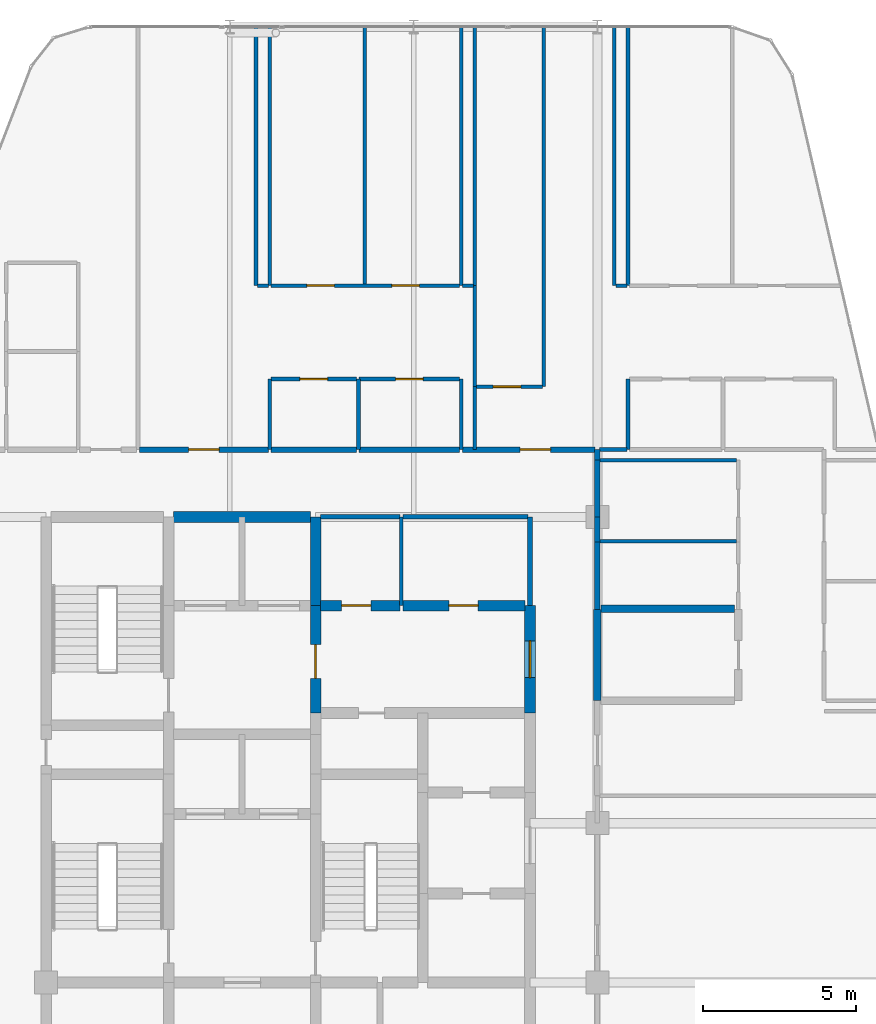
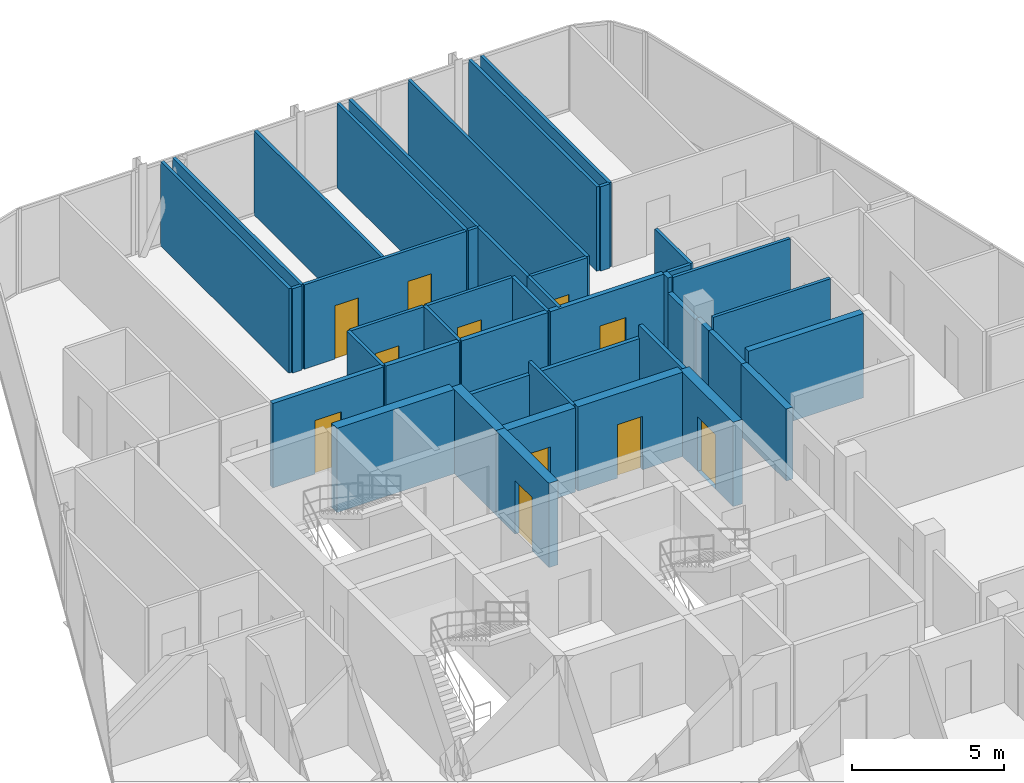
# One storey, part 27 of 29: 44 walls, 11 doors, 11 openings.
"""IFC4 building model written with IfcOpenShell, lengths in metres."""

from ifc_helpers import new_model, si_unit, direction, frame, frame_2d, origin, place, context, subcontext, project, spatial, rectangle, extrude, material, layer, layer_set, type_object, element, fill, save


model = new_model("IFC4")

# Units and contexts
model_context = context("Model", 3, precision=1e-05, world=origin(), true_north=direction((0.0, 1.0)))
body_context = subcontext(model_context, "Body", "Model", "MODEL_VIEW")
ifc_project = project(units=[si_unit("LENGTHUNIT", "METRE"), si_unit("AREAUNIT", "SQUARE_METRE"), si_unit("VOLUMEUNIT", "CUBIC_METRE"), si_unit("PLANEANGLEUNIT", "RADIAN"), si_unit("MASSUNIT", "GRAM", prefix="KILO")], contexts=[model_context])

# Site, building, storey
site_placement = place(None, origin())
site = spatial("IfcSite", under=ifc_project, at=site_placement, CompositionType="ELEMENT")
building_placement = place(site_placement, origin())
building = spatial("IfcBuilding", under=site, at=building_placement, Name="Keshet Zoharim Tower", CompositionType="ELEMENT")
storey_placement = place(building_placement, frame((0.0, 0.0, 222.800048828125)))
storey = spatial("IfcBuildingStorey", under=building, at=storey_placement, Name="L55", CompositionType="ELEMENT", Elevation=222.800048828125)

# Walls
ifc_material_1 = material(Name="Gypsum Plasterboard", Category="gypsum")
ifc_layer_1 = layer(ifc_material_1, 0.14990234375)
ifc_layer_set_1 = layer_set([ifc_layer_1], Name="Gypsum Plasterboard")
wall_type_1 = type_object("IfcWallType", Name="WL-CLIN-150", PredefinedType="STANDARD", material=ifc_layer_set_1)
wall_1_placement = place(storey_placement, frame((30.800048828125, 35.0, 0.0), z_axis=(0.0, 0.0, 1.0), x_axis=(0.0, 1.0, 0.0)))
element("IfcWall", 1, at=wall_1_placement, inside=storey, type_object=wall_type_1, Name="L55 Interior Wall 064", PredefinedType="STANDARD", context=body_context, shape_type="SweptSolid", body=[
    extrude(rectangle(XDim=2.89990234375, YDim=0.14990234375, at=frame_2d((1.449951171875, 0.0))), origin(), (0.0, 0.0, 1.0), 3.389892578125),
])
wall_2_placement = place(storey_placement, frame((23.9599609375, 37.89990234375, 0.0), z_axis=(0.0, 0.0, 1.0), x_axis=(1.0, 0.0, 0.0)))
element("IfcWall", 2, at=wall_2_placement, inside=storey, type_object=wall_type_1, Name="L55 Interior Wall 177", PredefinedType="STANDARD", context=body_context, shape_type="SweptSolid", body=[
    extrude(rectangle(XDim=2.594970703125, YDim=0.14990234375, at=frame_2d((1.29736328125, 0.0))), origin(), (0.0, 0.0, 1.0), 2.889892578125),
])
wall_3_placement = place(storey_placement, frame((26.64501953125, 37.89990234375, 0.0), z_axis=(0.0, 0.0, 1.0), x_axis=(1.0, 0.0, 0.0)))
element("IfcWall", 3, at=wall_3_placement, inside=storey, type_object=wall_type_1, Name="L55 Interior Wall 178", PredefinedType="STANDARD", context=body_context, shape_type="SweptSolid", body=[
    extrude(rectangle(XDim=4.094970703125, YDim=0.14990234375, at=frame_2d((2.04736328125, 0.0))), origin(), (0.0, 0.0, 1.0), 2.889892578125),
])

# Wall, opening, door
ifc_material_2 = material(Name="Concrete C60/75", Category="concrete")
ifc_layer_2 = layer(ifc_material_2, 0.35009765625)
ifc_layer_set_2 = layer_set([ifc_layer_2], Name="Concrete C60/75")
wall_type_2 = type_object("IfcWallType", Name="WL-CORE-350", PredefinedType="SHEAR", material=ifc_layer_set_2)
wall_4_placement = place(storey_placement, frame((23.800048828125, 31.5, 0.0), z_axis=(0.0, 0.0, 1.0), x_axis=(0.0, 1.0, 0.0)))
wall_4 = element("IfcWall", 4, at=wall_4_placement, inside=storey, type_object=wall_type_2, Name="L55 Core Shear Wall 043", PredefinedType="SHEAR", context=body_context, shape_type="SweptSolid", body=[
    extrude(rectangle(XDim=3.5, YDim=0.35009765625, at=frame_2d((1.75, 0.0))), origin(), (0.0, 0.0, 1.0), 3.389892578125),
])
opening_1_placement = place(wall_4_placement, frame((1.126953125, 0.0, 0.0)))
opening_1 = element("IfcOpeningElement", 5, at=opening_1_placement, cuts=wall_4, Name="Opening D-F611", PredefinedType="OPENING", context=body_context, shape_type="SweptSolid", body=[
    extrude(rectangle(XDim=1.10009765625, YDim=2.14990234375, at=frame_2d((0.550048828125, 1.074951171875))), frame((0.0, 0.18505859375, 0.0), z_axis=(0.0, -1.0, 0.0), x_axis=(1.0, 0.0, 0.0)), (0.0, 0.0, 1.0), 0.3701171875),
])
ifc_material_3 = material(Name="Hardwood Timber", Category="wood")
door_type_1 = type_object("IfcDoorType", Name="DR-FD60-110", OperationType="NOTDEFINED", PredefinedType="DOOR", material=ifc_material_3)
door_1_placement = place(opening_1_placement, origin())
door_1 = element("IfcDoor", 6, at=door_1_placement, inside=storey, type_object=door_type_1, Name="L55 Firefighting Lobby Fire Door", OperationType="SINGLE_SWING_RIGHT", OverallHeight=2.14990234375, OverallWidth=1.10009765625, PredefinedType="DOOR", context=body_context, shape_type="SweptSolid", body=[
    extrude(rectangle(XDim=1.10009765625, YDim=2.14990234375, at=frame_2d((0.550048828125, 1.074951171875))), frame((0.0, 0.02490234375, 0.0), z_axis=(0.0, -1.0, 0.0), x_axis=(1.0, 0.0, 0.0)), (0.0, 0.0, 1.0), 0.050048828125),
])
fill(opening_1, door_1)

# Wall
wall_5_placement = place(storey_placement, frame((23.800048828125, 35.0, 0.0), z_axis=(0.0, 0.0, 1.0), x_axis=(0.0, 1.0, 0.0)))
element("IfcWall", 7, at=wall_5_placement, inside=storey, type_object=wall_type_2, Name="L55 Core Shear Wall 044", PredefinedType="SHEAR", context=body_context, shape_type="SweptSolid", body=[
    extrude(rectangle(XDim=2.89990234375, YDim=0.35009765625, at=frame_2d((1.449951171875, 0.0))), origin(), (0.0, 0.0, 1.0), 3.389892578125),
])

# Wall, opening, door
wall_6_placement = place(storey_placement, frame((30.800048828125, 31.5, 0.0), z_axis=(0.0, 0.0, 1.0), x_axis=(0.0, 1.0, 0.0)))
wall_6 = element("IfcWall", 8, at=wall_6_placement, inside=storey, type_object=wall_type_2, Name="L55 Core Shear Wall 063", PredefinedType="SHEAR", context=body_context, shape_type="SweptSolid", body=[
    extrude(rectangle(XDim=3.5, YDim=0.35009765625, at=frame_2d((1.75, 0.0))), origin(), (0.0, 0.0, 1.0), 3.389892578125),
])
opening_2_placement = place(wall_6_placement, frame((1.14990234375, 0.0, 0.0)))
opening_2 = element("IfcOpeningElement", 9, at=opening_2_placement, cuts=wall_6, Name="Opening D-F612", PredefinedType="OPENING", context=body_context, shape_type="SweptSolid", body=[
    extrude(rectangle(XDim=1.199951171875, YDim=2.199951171875, at=frame_2d((0.60009765625, 1.10009765625))), frame((0.0, 0.18505859375, 0.0), z_axis=(0.0, -1.0, 0.0), x_axis=(1.0, 0.0, 0.0)), (0.0, 0.0, 1.0), 0.3701171875),
])
door_type_2 = type_object("IfcDoorType", Name="DR-FD60-120", OperationType="NOTDEFINED", PredefinedType="DOOR", material=ifc_material_3)
door_2_placement = place(opening_2_placement, origin())
door_2 = element("IfcDoor", 10, at=door_2_placement, inside=storey, type_object=door_type_2, Name="L55 North Lift Lobby East Fire Door", OperationType="SINGLE_SWING_RIGHT", OverallHeight=2.199951171875, OverallWidth=1.199951171875, PredefinedType="DOOR", context=body_context, shape_type="SweptSolid", body=[
    extrude(rectangle(XDim=1.199951171875, YDim=2.199951171875, at=frame_2d((0.60009765625, 1.10009765625))), frame((0.0, 0.02490234375, 0.0), z_axis=(0.0, -1.0, 0.0), x_axis=(1.0, 0.0, 0.0)), (0.0, 0.0, 1.0), 0.050048828125),
])
fill(opening_2, door_2)

wall_7_placement = place(storey_placement, frame((23.9599609375, 35.0, 0.0), z_axis=(0.0, 0.0, 1.0), x_axis=(1.0, 0.0, 0.0)))
wall_7 = element("IfcWall", 11, at=wall_7_placement, inside=storey, type_object=wall_type_2, Name="L55 Core Shear Wall 171", PredefinedType="SHEAR", context=body_context, shape_type="SweptSolid", body=[
    extrude(rectangle(XDim=2.594970703125, YDim=0.35009765625, at=frame_2d((1.29736328125, 0.0))), origin(), (0.0, 0.0, 1.0), 3.389892578125),
])
opening_3_placement = place(wall_7_placement, frame((0.69091796875, 0.0, 0.0)))
opening_3 = element("IfcOpeningElement", 12, at=opening_3_placement, cuts=wall_7, Name="Opening D-F695", PredefinedType="OPENING", context=body_context, shape_type="SweptSolid", body=[
    extrude(rectangle(XDim=0.949951171875, YDim=2.14990234375, at=frame_2d((0.47509765625, 1.074951171875))), frame((0.0, 0.18505859375, 0.0), z_axis=(0.0, -1.0, 0.0), x_axis=(1.0, 0.0, 0.0)), (0.0, 0.0, 1.0), 0.3701171875),
])
door_type_3 = type_object("IfcDoorType", Name="DR-FD60-095", OperationType="NOTDEFINED", PredefinedType="DOOR", material=ifc_material_3)
door_3_placement = place(opening_3_placement, frame((0.949951171875, 0.0, 0.0), z_axis=(0.0, 0.0, 1.0), x_axis=(-1.0, 0.0, 0.0)))
door_3 = element("IfcDoor", 13, at=door_3_placement, inside=storey, type_object=door_type_3, Name="L55 Laundry Room Door", OperationType="SINGLE_SWING_RIGHT", OverallHeight=2.14990234375, OverallWidth=0.949951171875, PredefinedType="DOOR", context=body_context, shape_type="SweptSolid", body=[
    extrude(rectangle(XDim=0.949951171875, YDim=2.14990234375, at=frame_2d((0.47509765625, 1.074951171875))), frame((0.0, 0.02490234375, 0.0), z_axis=(0.0, -1.0, 0.0), x_axis=(1.0, 0.0, 0.0)), (0.0, 0.0, 1.0), 0.050048828125),
])
fill(opening_3, door_3)

wall_8_placement = place(storey_placement, frame((26.64501953125, 35.0, 0.0), z_axis=(0.0, 0.0, 1.0), x_axis=(1.0, 0.0, 0.0)))
wall_8 = element("IfcWall", 14, at=wall_8_placement, inside=storey, type_object=wall_type_2, Name="L55 Core Shear Wall 172", PredefinedType="SHEAR", context=body_context, shape_type="SweptSolid", body=[
    extrude(rectangle(XDim=3.994873046875, YDim=0.35009765625, at=frame_2d((1.99755859375, 0.0))), origin(), (0.0, 0.0, 1.0), 3.389892578125),
])
opening_4_placement = place(wall_8_placement, frame((1.508056640625, 0.0, 0.0)))
opening_4 = element("IfcOpeningElement", 15, at=opening_4_placement, cuts=wall_8, Name="Opening D-F695", PredefinedType="OPENING", context=body_context, shape_type="SweptSolid", body=[
    extrude(rectangle(XDim=0.949951171875, YDim=2.14990234375, at=frame_2d((0.47509765625, 1.074951171875))), frame((0.0, 0.18505859375, 0.0), z_axis=(0.0, -1.0, 0.0), x_axis=(1.0, 0.0, 0.0)), (0.0, 0.0, 1.0), 0.3701171875),
])
door_4_placement = place(opening_4_placement, frame((0.949951171875, 0.0, 0.0), z_axis=(0.0, 0.0, 1.0), x_axis=(-1.0, 0.0, 0.0)))
door_4 = element("IfcDoor", 16, at=door_4_placement, inside=storey, type_object=door_type_3, Name="L55 Quiet Study Room Door", OperationType="SINGLE_SWING_LEFT", OverallHeight=2.14990234375, OverallWidth=0.949951171875, PredefinedType="DOOR", context=body_context, shape_type="SweptSolid", body=[
    extrude(rectangle(XDim=0.949951171875, YDim=2.14990234375, at=frame_2d((0.47509765625, 1.074951171875))), frame((0.0, 0.02490234375, 0.0), z_axis=(0.0, -1.0, 0.0), x_axis=(1.0, 0.0, 0.0)), (0.0, 0.0, 1.0), 0.050048828125),
])
fill(opening_4, door_4)

# Walls
wall_9_placement = place(storey_placement, frame((19.159912109375, 37.89990234375, 0.0), z_axis=(0.0, 0.0, 1.0), x_axis=(1.0, 0.0, 0.0)))
element("IfcWall", 17, at=wall_9_placement, inside=storey, type_object=wall_type_2, Name="L55 Core Shear Wall 176", PredefinedType="SHEAR", context=body_context, shape_type="SweptSolid", body=[
    extrude(rectangle(XDim=4.47998046875, YDim=0.35009765625, at=frame_2d((2.239990234375, 0.0))), origin(), (0.0, 0.0, 1.0), 3.389892578125),
])
ifc_layer_3 = layer(ifc_material_1, 0.179931640625)
ifc_layer_set_3 = layer_set([ifc_layer_3], Name="Gypsum Plasterboard")
wall_type_3 = type_object("IfcWallType", Name="WL-CORR-180", PredefinedType="STANDARD", material=ifc_layer_set_3)
wall_10_placement = place(storey_placement, frame((33.0, 34.883056640625, 0.0), z_axis=(0.0, 0.0, 1.0), x_axis=(0.0, 1.0, 0.0)))
element("IfcWall", 18, at=wall_10_placement, inside=storey, type_object=wall_type_3, Name="L55 Interior Wall 072", PredefinedType="STANDARD", context=body_context, shape_type="SweptSolid", body=[
    extrude(rectangle(XDim=2.197998046875, YDim=0.179931640625, at=frame_2d((1.09912109375, 0.0))), origin(), (0.0, 0.0, 1.0), 2.889892578125),
])
wall_11_placement = place(storey_placement, frame((33.0, 37.0810546875, 0.0), z_axis=(0.0, 0.0, 1.0), x_axis=(0.0, 1.0, 0.0)))
element("IfcWall", 19, at=wall_11_placement, inside=storey, type_object=wall_type_3, Name="L55 Interior Wall 073", PredefinedType="STANDARD", context=body_context, shape_type="SweptSolid", body=[
    extrude(rectangle(XDim=0.81884765625, YDim=0.179931640625, at=frame_2d((0.409423828125, 0.0))), origin(), (0.0, 0.0, 1.0), 2.889892578125),
])
wall_12_placement = place(storey_placement, frame((33.0, 39.75, 0.0), z_axis=(0.0, 0.0, 1.0), x_axis=(0.0, 1.0, 0.0)))
element("IfcWall", 20, at=wall_12_placement, inside=storey, type_object=wall_type_3, Name="L55 Interior Wall 074", PredefinedType="STANDARD", context=body_context, shape_type="SweptSolid", body=[
    extrude(rectangle(XDim=0.35009765625, YDim=0.179931640625, at=frame_2d((0.175048828125, 0.0))), origin(), (0.0, 0.0, 1.0), 3.389892578125),
])

# Wall, opening, door
wall_13_placement = place(storey_placement, frame((18.044921875, 40.10009765625, 0.0), z_axis=(0.0, 0.0, 1.0), x_axis=(1.0, 0.0, 0.0)))
wall_13 = element("IfcWall", 21, at=wall_13_placement, inside=storey, type_object=wall_type_3, Name="L55 Interior Wall 186", PredefinedType="STANDARD", context=body_context, shape_type="SweptSolid", body=[
    extrude(rectangle(XDim=4.2099609375, YDim=0.179931640625, at=frame_2d((2.10498046875, 0.0))), origin(), (0.0, 0.0, 1.0), 3.389892578125),
])
opening_5_placement = place(wall_13_placement, frame((1.60498046875, 0.0, 0.0)))
opening_5 = element("IfcOpeningElement", 22, at=opening_5_placement, cuts=wall_13, Name="Opening D-F310", PredefinedType="OPENING", context=body_context, shape_type="SweptSolid", body=[
    extrude(rectangle(XDim=1.0, YDim=2.14990234375, at=frame_2d((0.5, 1.074951171875))), frame((0.0, 0.10009765625, 0.0), z_axis=(0.0, -1.0, 0.0), x_axis=(1.0, 0.0, 0.0)), (0.0, 0.0, 1.0), 0.199951171875),
])
door_type_4 = type_object("IfcDoorType", Name="DR-FD30-100", OperationType="NOTDEFINED", PredefinedType="DOOR", material=ifc_material_3)
door_5_placement = place(opening_5_placement, origin())
door_5 = element("IfcDoor", 23, at=door_5_placement, inside=storey, type_object=door_type_4, Name="Apartment 5507 Entrance Door", OperationType="SINGLE_SWING_LEFT", OverallHeight=2.14990234375, OverallWidth=1.0, PredefinedType="DOOR", context=body_context, shape_type="SweptSolid", body=[
    extrude(rectangle(XDim=1.0, YDim=2.14990234375, at=frame_2d((0.5, 1.074951171875))), frame((0.0, 0.02490234375, 0.0), z_axis=(0.0, -1.0, 0.0), x_axis=(1.0, 0.0, 0.0)), (0.0, 0.0, 1.0), 0.050048828125),
])
fill(opening_5, door_5)

# Walls
wall_14_placement = place(storey_placement, frame((22.344970703125, 40.10009765625, 0.0), z_axis=(0.0, 0.0, 1.0), x_axis=(1.0, 0.0, 0.0)))
element("IfcWall", 24, at=wall_14_placement, inside=storey, type_object=wall_type_3, Name="L55 Interior Wall 187", PredefinedType="STANDARD", context=body_context, shape_type="SweptSolid", body=[
    extrude(rectangle(XDim=2.784912109375, YDim=0.179931640625, at=frame_2d((1.392578125, 0.0))), origin(), (0.0, 0.0, 1.0), 3.389892578125),
])
wall_15_placement = place(storey_placement, frame((25.219970703125, 40.10009765625, 0.0), z_axis=(0.0, 0.0, 1.0), x_axis=(1.0, 0.0, 0.0)))
element("IfcWall", 25, at=wall_15_placement, inside=storey, type_object=wall_type_3, Name="L55 Interior Wall 188", PredefinedType="STANDARD", context=body_context, shape_type="SweptSolid", body=[
    extrude(rectangle(XDim=3.284912109375, YDim=0.179931640625, at=frame_2d((1.642578125, 0.0))), origin(), (0.0, 0.0, 1.0), 3.389892578125),
])

# Wall, opening, door
wall_16_placement = place(storey_placement, frame((28.594970703125, 40.10009765625, 0.0), z_axis=(0.0, 0.0, 1.0), x_axis=(1.0, 0.0, 0.0)))
wall_16 = element("IfcWall", 26, at=wall_16_placement, inside=storey, type_object=wall_type_3, Name="L55 Interior Wall 189", PredefinedType="STANDARD", context=body_context, shape_type="SweptSolid", body=[
    extrude(rectangle(XDim=4.330078125, YDim=0.179931640625, at=frame_2d((2.1650390625, 0.0))), origin(), (0.0, 0.0, 1.0), 3.389892578125),
])
opening_6_placement = place(wall_16_placement, frame((1.8798828125, 0.0, 0.0)))
opening_6 = element("IfcOpeningElement", 27, at=opening_6_placement, cuts=wall_16, Name="Opening D-F310", PredefinedType="OPENING", context=body_context, shape_type="SweptSolid", body=[
    extrude(rectangle(XDim=1.0, YDim=2.14990234375, at=frame_2d((0.5, 1.074951171875))), frame((0.0, 0.10009765625, 0.0), z_axis=(0.0, -1.0, 0.0), x_axis=(1.0, 0.0, 0.0)), (0.0, 0.0, 1.0), 0.199951171875),
])
door_6_placement = place(opening_6_placement, origin())
door_6 = element("IfcDoor", 28, at=door_6_placement, inside=storey, type_object=door_type_4, Name="Apartment 5508 Entrance Door", OperationType="SINGLE_SWING_RIGHT", OverallHeight=2.14990234375, OverallWidth=1.0, PredefinedType="DOOR", context=body_context, shape_type="SweptSolid", body=[
    extrude(rectangle(XDim=1.0, YDim=2.14990234375, at=frame_2d((0.5, 1.074951171875))), frame((0.0, 0.02490234375, 0.0), z_axis=(0.0, -1.0, 0.0), x_axis=(1.0, 0.0, 0.0)), (0.0, 0.0, 1.0), 0.050048828125),
])
fill(opening_6, door_6)

# Walls
wall_17_placement = place(storey_placement, frame((33.0, 37.89990234375, 0.0), z_axis=(0.0, 0.0, 1.0), x_axis=(0.0, 1.0, 0.0)))
element("IfcWall", 29, at=wall_17_placement, inside=storey, type_object=wall_type_3, Name="L55 Interior Wall 073 Part 2", PredefinedType="STANDARD", context=body_context, shape_type="SweptSolid", body=[
    extrude(rectangle(XDim=1.85009765625, YDim=0.179931640625, at=frame_2d((0.925048828125, 0.0))), origin(), (0.0, 0.0, 1.0), 2.7900390625),
])
ifc_material_4 = material(Name="Concrete C50/60", Category="concrete")
ifc_layer_4 = layer(ifc_material_4, 0.25)
ifc_layer_set_4 = layer_set([ifc_layer_4], Name="Concrete C50/60")
wall_type_4 = type_object("IfcWallType", Name="WL-MAMAD-250", PredefinedType="STANDARD", material=ifc_layer_set_4)
wall_18_placement = place(storey_placement, frame((33.0, 31.89990234375, 0.0), z_axis=(0.0, 0.0, 1.0), x_axis=(0.0, 1.0, 0.0)))
element("IfcWall", 30, at=wall_18_placement, inside=storey, type_object=wall_type_4, Name="L55 Interior Wall 071", PredefinedType="STANDARD", context=body_context, shape_type="SweptSolid", body=[
    extrude(rectangle(XDim=2.983154296875, YDim=0.25, at=frame_2d((1.49169921875, 0.0))), origin(), (0.0, 0.0, 1.0), 2.889892578125),
])
wall_19_placement = place(storey_placement, frame((33.110107421875, 34.89990234375, 0.0), z_axis=(0.0, 0.0, 1.0), x_axis=(1.0, 0.0, 0.0)))
element("IfcWall", 31, at=wall_19_placement, inside=storey, type_object=wall_type_4, Name="L55 Interior Wall 169", PredefinedType="STANDARD", context=body_context, shape_type="SweptSolid", body=[
    extrude(rectangle(XDim=4.35986328125, YDim=0.25, at=frame_2d((2.179931640625, 0.0))), origin(), (0.0, 0.0, 1.0), 3.389892578125),
])
ifc_layer_5 = layer(ifc_material_1, 0.1201171875)
ifc_layer_set_5 = layer_set([ifc_layer_5], Name="Gypsum Plasterboard")
wall_type_5 = type_object("IfcWallType", Name="WL-PART-120", PredefinedType="PARTITIONING", material=ifc_layer_set_5)
wall_20_placement = place(storey_placement, frame((21.85009765625, 45.449951171875, 0.0), z_axis=(0.0, 0.0, 1.0), x_axis=(0.0, 1.0, 0.0)))
element("IfcWall", 32, at=wall_20_placement, inside=storey, type_object=wall_type_5, Name="L55 Interior Wall 035", PredefinedType="PARTITIONING", context=body_context, shape_type="SweptSolid", body=[
    extrude(rectangle(XDim=8.43994140625, YDim=0.1201171875, at=frame_2d((4.219970703125, 0.0))), origin(), (0.0, 0.0, 1.0), 3.389892578125),
])
wall_21_placement = place(storey_placement, frame((22.300048828125, 40.10009765625, 0.0), z_axis=(0.0, 0.0, 1.0), x_axis=(0.0, 1.0, 0.0)))
element("IfcWall", 33, at=wall_21_placement, inside=storey, type_object=wall_type_5, Name="L55 Interior Wall 036", PredefinedType="PARTITIONING", context=body_context, shape_type="SweptSolid", body=[
    extrude(rectangle(XDim=2.2998046875, YDim=0.1201171875, at=frame_2d((1.14990234375, 0.0))), origin(), (0.0, 0.0, 1.0), 3.389892578125),
])
for number, where, z_axis, x_axis, name in (
    (34, (22.300048828125, 45.449951171875, 0.0), (0.0, 0.0, 1.0), (0.0, 1.0, 0.0), "L55 Interior Wall 037"),
    (35, (25.39990234375, 45.449951171875, 0.0), (0.0, 0.0, 1.0), (0.0, 1.0, 0.0), "L55 Interior Wall 047"),
):
    element("IfcWall", number, at=place(storey_placement, frame(where, z_axis=z_axis, x_axis=x_axis)), inside=storey, type_object=wall_type_5, Name=name, PredefinedType="PARTITIONING", context=body_context, shape_type="SweptSolid", body=[
        extrude(rectangle(XDim=8.43994140625, YDim=0.1201171875, at=frame_2d((4.219970703125, 0.0))), origin(), (0.0, 0.0, 1.0), 3.389892578125),
    ])
wall_22_placement = place(storey_placement, frame((26.60009765625, 35.0, 0.0), z_axis=(0.0, 0.0, 1.0), x_axis=(0.0, 1.0, 0.0)))
element("IfcWall", 36, at=wall_22_placement, inside=storey, type_object=wall_type_5, Name="L55 Interior Wall 049", PredefinedType="PARTITIONING", context=body_context, shape_type="SweptSolid", body=[
    extrude(rectangle(XDim=2.89990234375, YDim=0.1201171875, at=frame_2d((1.449951171875, 0.0))), origin(), (0.0, 0.0, 1.0), 3.389892578125),
])
wall_23_placement = place(storey_placement, frame((28.550048828125, 45.449951171875, 0.0), z_axis=(0.0, 0.0, 1.0), x_axis=(0.0, 1.0, 0.0)))
element("IfcWall", 37, at=wall_23_placement, inside=storey, type_object=wall_type_5, Name="L55 Interior Wall 055", PredefinedType="PARTITIONING", context=body_context, shape_type="SweptSolid", body=[
    extrude(rectangle(XDim=8.43994140625, YDim=0.1201171875, at=frame_2d((4.219970703125, 0.0))), origin(), (0.0, 0.0, 1.0), 3.389892578125),
])
wall_24_placement = place(storey_placement, frame((29.0, 40.10009765625, 0.0), z_axis=(0.0, 0.0, 1.0), x_axis=(0.0, 1.0, 0.0)))
element("IfcWall", 38, at=wall_24_placement, inside=storey, type_object=wall_type_5, Name="L55 Interior Wall 056", PredefinedType="PARTITIONING", context=body_context, shape_type="SweptSolid", body=[
    extrude(rectangle(XDim=2.0498046875, YDim=0.1201171875, at=frame_2d((1.02490234375, 0.0))), origin(), (0.0, 0.0, 1.0), 3.389892578125),
])
wall_25_placement = place(storey_placement, frame((29.0, 42.14990234375, 0.0), z_axis=(0.0, 0.0, 1.0), x_axis=(0.0, 1.0, 0.0)))
element("IfcWall", 39, at=wall_25_placement, inside=storey, type_object=wall_type_5, Name="L55 Interior Wall 057", PredefinedType="PARTITIONING", context=body_context, shape_type="SweptSolid", body=[
    extrude(rectangle(XDim=3.300048828125, YDim=0.1201171875, at=frame_2d((1.64990234375, 0.0))), origin(), (0.0, 0.0, 1.0), 3.389892578125),
])
wall_26_placement = place(storey_placement, frame((29.0, 45.449951171875, 0.0), z_axis=(0.0, 0.0, 1.0), x_axis=(0.0, 1.0, 0.0)))
element("IfcWall", 40, at=wall_26_placement, inside=storey, type_object=wall_type_5, Name="L55 Interior Wall 058", PredefinedType="PARTITIONING", context=body_context, shape_type="SweptSolid", body=[
    extrude(rectangle(XDim=8.43994140625, YDim=0.1201171875, at=frame_2d((4.219970703125, 0.0))), origin(), (0.0, 0.0, 1.0), 3.389892578125),
])
wall_27_placement = place(storey_placement, frame((31.25, 42.14990234375, 0.0), z_axis=(0.0, 0.0, 1.0), x_axis=(0.0, 1.0, 0.0)))
element("IfcWall", 41, at=wall_27_placement, inside=storey, type_object=wall_type_5, Name="L55 Interior Wall 065", PredefinedType="PARTITIONING", context=body_context, shape_type="SweptSolid", body=[
    extrude(rectangle(XDim=11.739990234375, YDim=0.1201171875, at=frame_2d((5.8701171875, 0.0))), origin(), (0.0, 0.0, 1.0), 3.389892578125),
])
wall_28_placement = place(storey_placement, frame((33.550048828125, 45.449951171875, 0.0), z_axis=(0.0, 0.0, 1.0), x_axis=(0.0, 1.0, 0.0)))
element("IfcWall", 42, at=wall_28_placement, inside=storey, type_object=wall_type_5, Name="L55 Interior Wall 075", PredefinedType="PARTITIONING", context=body_context, shape_type="SweptSolid", body=[
    extrude(rectangle(XDim=8.43994140625, YDim=0.1201171875, at=frame_2d((4.219970703125, 0.0))), origin(), (0.0, 0.0, 1.0), 3.389892578125),
])
wall_29_placement = place(storey_placement, frame((34.0, 40.10009765625, 0.0), z_axis=(0.0, 0.0, 1.0), x_axis=(0.0, 1.0, 0.0)))
element("IfcWall", 43, at=wall_29_placement, inside=storey, type_object=wall_type_5, Name="L55 Interior Wall 076", PredefinedType="PARTITIONING", context=body_context, shape_type="SweptSolid", body=[
    extrude(rectangle(XDim=2.2998046875, YDim=0.1201171875, at=frame_2d((1.14990234375, 0.0))), origin(), (0.0, 0.0, 1.0), 3.389892578125),
])
wall_30_placement = place(storey_placement, frame((34.0, 45.449951171875, 0.0), z_axis=(0.0, 0.0, 1.0), x_axis=(0.0, 1.0, 0.0)))
element("IfcWall", 44, at=wall_30_placement, inside=storey, type_object=wall_type_5, Name="L55 Interior Wall 077", PredefinedType="PARTITIONING", context=body_context, shape_type="SweptSolid", body=[
    extrude(rectangle(XDim=8.43994140625, YDim=0.1201171875, at=frame_2d((4.219970703125, 0.0))), origin(), (0.0, 0.0, 1.0), 3.389892578125),
])
wall_31_placement = place(storey_placement, frame((33.074951171875, 39.75, 0.0), z_axis=(0.0, 0.0, 1.0), x_axis=(1.0, 0.0, 0.0)))
element("IfcWall", 45, at=wall_31_placement, inside=storey, type_object=wall_type_5, Name="L55 Interior Wall 179", PredefinedType="PARTITIONING", context=body_context, shape_type="SweptSolid", body=[
    extrude(rectangle(XDim=4.4599609375, YDim=0.1201171875, at=frame_2d((2.22998046875, 0.0))), origin(), (0.0, 0.0, 1.0), 3.389892578125),
])
wall_32_placement = place(storey_placement, frame((33.074951171875, 40.10009765625, 0.0), z_axis=(0.0, 0.0, 1.0), x_axis=(1.0, 0.0, 0.0)))
element("IfcWall", 46, at=wall_32_placement, inside=storey, type_object=wall_type_5, Name="L55 Interior Wall 190", PredefinedType="PARTITIONING", context=body_context, shape_type="SweptSolid", body=[
    extrude(rectangle(XDim=0.89013671875, YDim=0.1201171875, at=frame_2d((0.445068359375, 0.0))), origin(), (0.0, 0.0, 1.0), 3.389892578125),
])

# Wall, opening, door
wall_33_placement = place(storey_placement, frame((29.044921875, 42.14990234375, 0.0), z_axis=(0.0, 0.0, 1.0), x_axis=(1.0, 0.0, 0.0)))
wall_33 = element("IfcWall", 47, at=wall_33_placement, inside=storey, type_object=wall_type_5, Name="L55 Interior Wall 194", PredefinedType="PARTITIONING", context=body_context, shape_type="SweptSolid", body=[
    extrude(rectangle(XDim=2.16015625, YDim=0.1201171875, at=frame_2d((1.080078125, 0.0))), origin(), (0.0, 0.0, 1.0), 3.389892578125),
])
opening_7_placement = place(wall_33_placement, frame((0.552978515625, 0.0, 0.0)))
opening_7 = element("IfcOpeningElement", 48, at=opening_7_placement, cuts=wall_33, Name="Opening D-IN90", PredefinedType="OPENING", context=body_context, shape_type="SweptSolid", body=[
    extrude(rectangle(XDim=0.89990234375, YDim=2.14990234375, at=frame_2d((0.449951171875, 1.074951171875))), frame((0.0, 0.070068359375, 0.0), z_axis=(0.0, -1.0, 0.0), x_axis=(1.0, 0.0, 0.0)), (0.0, 0.0, 1.0), 0.14013671875),
])
door_type_5 = type_object("IfcDoorType", Name="DR-INT-090", OperationType="NOTDEFINED", PredefinedType="DOOR", material=ifc_material_3)
door_7_placement = place(opening_7_placement, origin())
door_7 = element("IfcDoor", 49, at=door_7_placement, inside=storey, type_object=door_type_5, Name="Apartment 5508 Formal Dining Room Door", OperationType="SINGLE_SWING_LEFT", OverallHeight=2.14990234375, OverallWidth=0.89990234375, PredefinedType="DOOR", context=body_context, shape_type="SweptSolid", body=[
    extrude(rectangle(XDim=0.89990234375, YDim=2.14990234375, at=frame_2d((0.449951171875, 1.074951171875))), frame((0.0, 0.02490234375, 0.0), z_axis=(0.0, -1.0, 0.0), x_axis=(1.0, 0.0, 0.0)), (0.0, 0.0, 1.0), 0.050048828125),
])
fill(opening_7, door_7)

wall_34_placement = place(storey_placement, frame((22.344970703125, 42.39990234375, 0.0), z_axis=(0.0, 0.0, 1.0), x_axis=(1.0, 0.0, 0.0)))
wall_34 = element("IfcWall", 50, at=wall_34_placement, inside=storey, type_object=wall_type_5, Name="L55 Interior Wall 195", PredefinedType="PARTITIONING", context=body_context, shape_type="SweptSolid", body=[
    extrude(rectangle(XDim=2.784912109375, YDim=0.1201171875, at=frame_2d((1.392578125, 0.0))), origin(), (0.0, 0.0, 1.0), 3.389892578125),
])
opening_8_placement = place(wall_34_placement, frame((0.943115234375, 0.0, 0.0)))
opening_8 = element("IfcOpeningElement", 51, at=opening_8_placement, cuts=wall_34, Name="Opening D-IN90", PredefinedType="OPENING", context=body_context, shape_type="SweptSolid", body=[
    extrude(rectangle(XDim=0.89990234375, YDim=2.14990234375, at=frame_2d((0.449951171875, 1.074951171875))), frame((0.0, 0.070068359375, 0.0), z_axis=(0.0, -1.0, 0.0), x_axis=(1.0, 0.0, 0.0)), (0.0, 0.0, 1.0), 0.14013671875),
])
door_8_placement = place(opening_8_placement, origin())
door_8 = element("IfcDoor", 52, at=door_8_placement, inside=storey, type_object=door_type_5, Name="Apartment 5507 Kitchen Door", OperationType="SINGLE_SWING_RIGHT", OverallHeight=2.14990234375, OverallWidth=0.89990234375, PredefinedType="DOOR", context=body_context, shape_type="SweptSolid", body=[
    extrude(rectangle(XDim=0.89990234375, YDim=2.14990234375, at=frame_2d((0.449951171875, 1.074951171875))), frame((0.0, 0.02490234375, 0.0), z_axis=(0.0, -1.0, 0.0), x_axis=(1.0, 0.0, 0.0)), (0.0, 0.0, 1.0), 0.050048828125),
])
fill(opening_8, door_8)

# Wall
wall_35_placement = place(storey_placement, frame((21.89501953125, 45.449951171875, 0.0), z_axis=(0.0, 0.0, 1.0), x_axis=(1.0, 0.0, 0.0)))
element("IfcWall", 53, at=wall_35_placement, inside=storey, type_object=wall_type_5, Name="L55 Interior Wall 200", PredefinedType="PARTITIONING", context=body_context, shape_type="SweptSolid", body=[
    extrude(rectangle(XDim=0.35986328125, YDim=0.1201171875, at=frame_2d((0.179931640625, 0.0))), origin(), (0.0, 0.0, 1.0), 3.389892578125),
])

# Wall, openings, doors
wall_36_placement = place(storey_placement, frame((22.344970703125, 45.449951171875, 0.0), z_axis=(0.0, 0.0, 1.0), x_axis=(1.0, 0.0, 0.0)))
wall_36 = element("IfcWall", 54, at=wall_36_placement, inside=storey, type_object=wall_type_5, Name="L55 Interior Wall 201", PredefinedType="PARTITIONING", context=body_context, shape_type="SweptSolid", body=[
    extrude(rectangle(XDim=6.159912109375, YDim=0.1201171875, at=frame_2d((3.080078125, 0.0))), origin(), (0.0, 0.0, 1.0), 3.389892578125),
])
opening_9_placement = place(wall_36_placement, frame((1.1669921875, 0.0, 0.0)))
opening_9 = element("IfcOpeningElement", 55, at=opening_9_placement, cuts=wall_36, Name="Opening D-IN90", PredefinedType="OPENING", context=body_context, shape_type="SweptSolid", body=[
    extrude(rectangle(XDim=0.89990234375, YDim=2.14990234375, at=frame_2d((0.449951171875, 1.074951171875))), frame((0.0, 0.070068359375, 0.0), z_axis=(0.0, -1.0, 0.0), x_axis=(1.0, 0.0, 0.0)), (0.0, 0.0, 1.0), 0.14013671875),
])
opening_10_placement = place(wall_36_placement, frame((3.94189453125, 0.0, 0.0)))
opening_10 = element("IfcOpeningElement", 56, at=opening_10_placement, cuts=wall_36, Name="Opening D-IN90", PredefinedType="OPENING", context=body_context, shape_type="SweptSolid", body=[
    extrude(rectangle(XDim=0.89990234375, YDim=2.14990234375, at=frame_2d((0.449951171875, 1.074951171875))), frame((0.0, 0.070068359375, 0.0), z_axis=(0.0, -1.0, 0.0), x_axis=(1.0, 0.0, 0.0)), (0.0, 0.0, 1.0), 0.14013671875),
])
door_9_placement = place(opening_9_placement, origin())
door_9 = element("IfcDoor", 57, at=door_9_placement, inside=storey, type_object=door_type_5, Name="Apartment 5507 Bedroom 1 Door", OperationType="SINGLE_SWING_RIGHT", OverallHeight=2.14990234375, OverallWidth=0.89990234375, PredefinedType="DOOR", context=body_context, shape_type="SweptSolid", body=[
    extrude(rectangle(XDim=0.89990234375, YDim=2.14990234375, at=frame_2d((0.449951171875, 1.074951171875))), frame((0.0, 0.02490234375, 0.0), z_axis=(0.0, -1.0, 0.0), x_axis=(1.0, 0.0, 0.0)), (0.0, 0.0, 1.0), 0.050048828125),
])
fill(opening_9, door_9)
door_10_placement = place(opening_10_placement, origin())
door_10 = element("IfcDoor", 58, at=door_10_placement, inside=storey, type_object=door_type_5, Name="Apartment 5507 Bedroom 2 Door", OperationType="SINGLE_SWING_LEFT", OverallHeight=2.14990234375, OverallWidth=0.89990234375, PredefinedType="DOOR", context=body_context, shape_type="SweptSolid", body=[
    extrude(rectangle(XDim=0.89990234375, YDim=2.14990234375, at=frame_2d((0.449951171875, 1.074951171875))), frame((0.0, 0.02490234375, 0.0), z_axis=(0.0, -1.0, 0.0), x_axis=(1.0, 0.0, 0.0)), (0.0, 0.0, 1.0), 0.050048828125),
])
fill(opening_10, door_10)

# Walls
for number, where, z_axis, x_axis, name in (
    (59, (28.594970703125, 45.449951171875, 0.0), (0.0, 0.0, 1.0), (1.0, 0.0, 0.0), "L55 Interior Wall 202"),
    (60, (33.60498046875, 45.449951171875, 0.0), (0.0, 0.0, 1.0), (1.0, 0.0, 0.0), "L55 Interior Wall 203"),
):
    element("IfcWall", number, at=place(storey_placement, frame(where, z_axis=z_axis, x_axis=x_axis)), inside=storey, type_object=wall_type_5, Name=name, PredefinedType="PARTITIONING", context=body_context, shape_type="SweptSolid", body=[
        extrude(rectangle(XDim=0.360107421875, YDim=0.1201171875, at=frame_2d((0.18017578125, 0.0))), origin(), (0.0, 0.0, 1.0), 3.389892578125),
    ])
ifc_layer_6 = layer(ifc_material_1, 0.1201171875)
ifc_layer_set_6 = layer_set([ifc_layer_6], Name="Gypsum Plasterboard")
wall_type_6 = type_object("IfcWallType", Name="WL-WET-120", PredefinedType="PARTITIONING", material=ifc_layer_set_6)
for number, where, z_axis, x_axis, name in (
    (61, (25.199951171875, 40.10009765625, 0.0), (0.0, 0.0, 1.0), (0.0, 1.0, 0.0), "L55 Interior Wall 046"),
    (62, (28.550048828125, 40.10009765625, 0.0), (0.0, 0.0, 1.0), (0.0, 1.0, 0.0), "L55 Interior Wall 054"),
):
    element("IfcWall", number, at=place(storey_placement, frame(where, z_axis=z_axis, x_axis=x_axis)), inside=storey, type_object=wall_type_6, Name=name, PredefinedType="PARTITIONING", context=body_context, shape_type="SweptSolid", body=[
        extrude(rectangle(XDim=2.2998046875, YDim=0.1201171875, at=frame_2d((1.14990234375, 0.0))), origin(), (0.0, 0.0, 1.0), 3.389892578125),
    ])
wall_37_placement = place(storey_placement, frame((33.074951171875, 37.10009765625, 0.0), z_axis=(0.0, 0.0, 1.0), x_axis=(1.0, 0.0, 0.0)))
element("IfcWall", 63, at=wall_37_placement, inside=storey, type_object=wall_type_6, Name="L55 Interior Wall 174", PredefinedType="PARTITIONING", context=body_context, shape_type="SweptSolid", body=[
    extrude(rectangle(XDim=4.4599609375, YDim=0.1201171875, at=frame_2d((2.22998046875, 0.0))), origin(), (0.0, 0.0, 1.0), 3.389892578125),
])

# Wall, opening, door
wall_38_placement = place(storey_placement, frame((25.219970703125, 42.39990234375, 0.0), z_axis=(0.0, 0.0, 1.0), x_axis=(1.0, 0.0, 0.0)))
wall_38 = element("IfcWall", 64, at=wall_38_placement, inside=storey, type_object=wall_type_6, Name="L55 Interior Wall 196", PredefinedType="PARTITIONING", context=body_context, shape_type="SweptSolid", body=[
    extrude(rectangle(XDim=3.284912109375, YDim=0.1201171875, at=frame_2d((1.642578125, 0.0))), origin(), (0.0, 0.0, 1.0), 3.389892578125),
])
opening_11_placement = place(wall_38_placement, frame((1.193115234375, 0.0, 0.0)))
opening_11 = element("IfcOpeningElement", 65, at=opening_11_placement, cuts=wall_38, Name="Opening D-WT90", PredefinedType="OPENING", context=body_context, shape_type="SweptSolid", body=[
    extrude(rectangle(XDim=0.89990234375, YDim=2.10009765625, at=frame_2d((0.449951171875, 1.050048828125))), frame((0.0, 0.070068359375, 0.0), z_axis=(0.0, -1.0, 0.0), x_axis=(1.0, 0.0, 0.0)), (0.0, 0.0, 1.0), 0.14013671875),
])
door_type_6 = type_object("IfcDoorType", Name="DR-WET-090", OperationType="NOTDEFINED", PredefinedType="DOOR", material=ifc_material_3)
door_11_placement = place(opening_11_placement, origin())
door_11 = element("IfcDoor", 66, at=door_11_placement, inside=storey, type_object=door_type_6, Name="Apartment 5507 Bathroom Door", OperationType="SINGLE_SWING_LEFT", OverallHeight=2.10009765625, OverallWidth=0.89990234375, PredefinedType="DOOR", context=body_context, shape_type="SweptSolid", body=[
    extrude(rectangle(XDim=0.89990234375, YDim=2.10009765625, at=frame_2d((0.449951171875, 1.050048828125))), frame((0.0, 0.02490234375, 0.0), z_axis=(0.0, -1.0, 0.0), x_axis=(1.0, 0.0, 0.0)), (0.0, 0.0, 1.0), 0.050048828125),
])
fill(opening_11, door_11)

save(model, "model.ifc")
